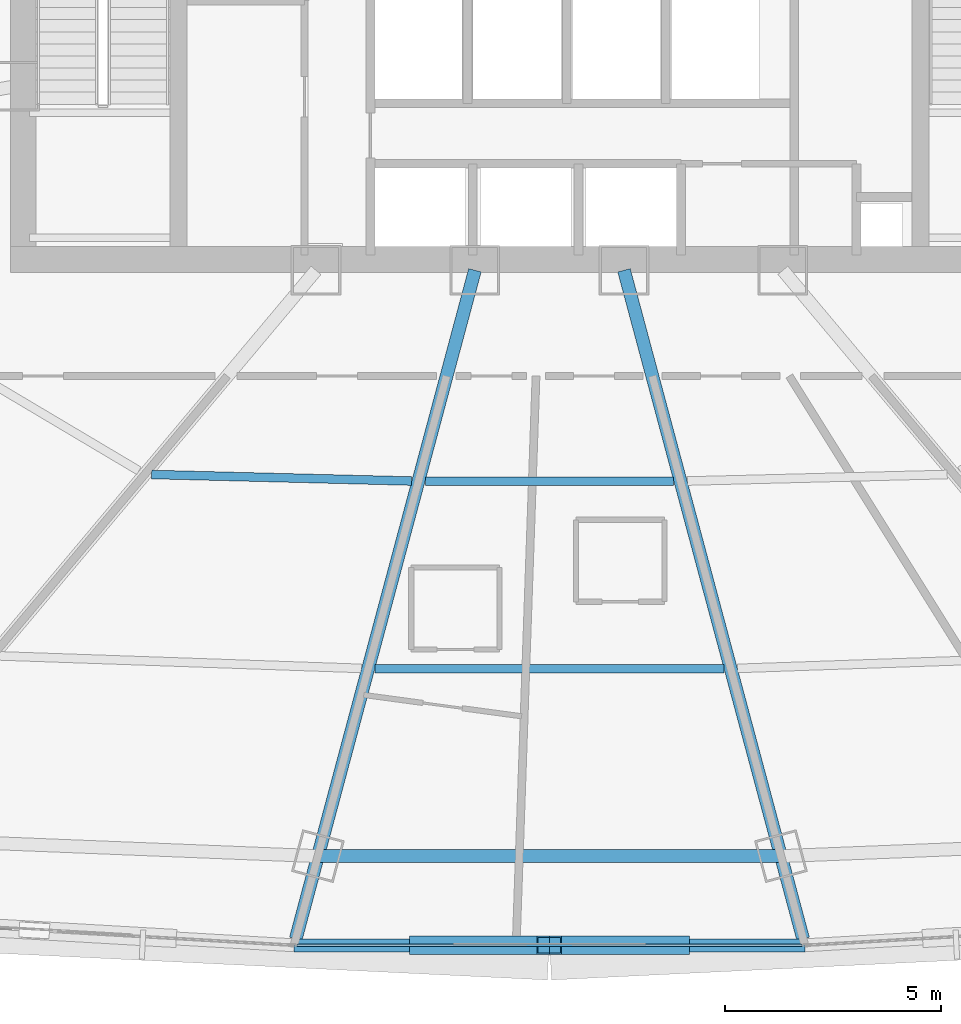
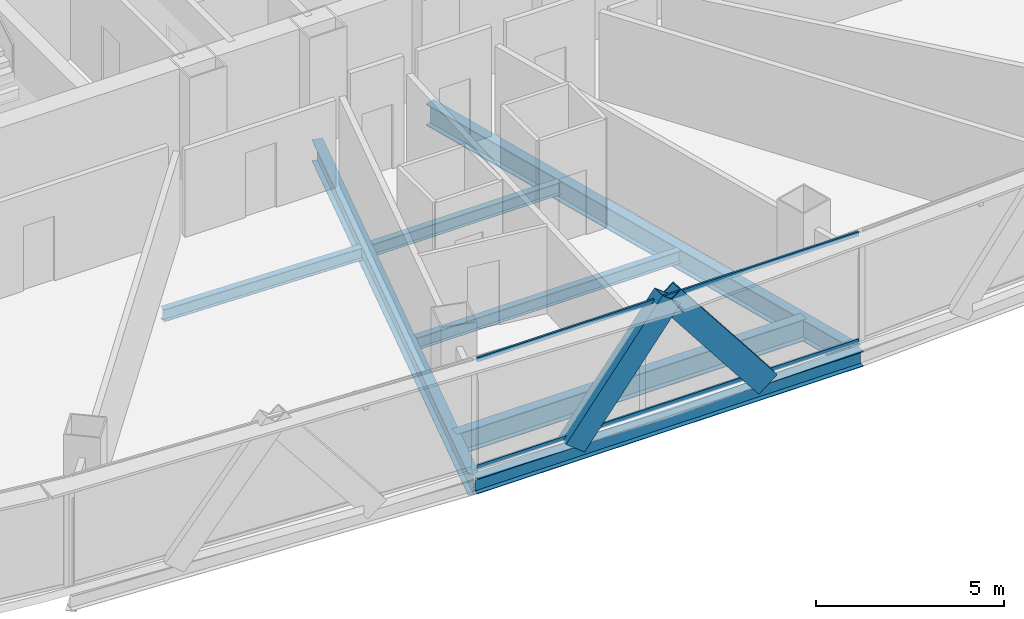
# One storey, part 9 of 37: 7 beams, 4 members, 1 element without a shape of its own.
"""IFC4 building model written with IfcOpenShell, lengths in metres."""

from ifc_helpers import new_model, si_unit, direction, frame, origin, origin_2d, place, context, subcontext, project, spatial, hollow_rectangle, i_section, extrude, source, transform, mapped, material, layer, layer_set, material_profile, profile_set, type_object, element, aggregate, save


model = new_model("IFC4")

# Units and contexts
model_context = context("Model", 3, precision=1e-05, world=origin(), true_north=direction((0.0, 1.0)))
body_context = subcontext(model_context, "Body", "Model", "MODEL_VIEW")
ifc_project = project(units=[si_unit("LENGTHUNIT", "METRE"), si_unit("AREAUNIT", "SQUARE_METRE"), si_unit("VOLUMEUNIT", "CUBIC_METRE"), si_unit("PLANEANGLEUNIT", "RADIAN"), si_unit("MASSUNIT", "GRAM", prefix="KILO"), si_unit("THERMODYNAMICTEMPERATUREUNIT", "KELVIN"), si_unit("POWERUNIT", "WATT")], contexts=[model_context])

# Site, building, storey
site_placement = place(None, origin())
site = spatial("IfcSite", under=ifc_project, at=site_placement, CompositionType="ELEMENT")
building_placement = place(site_placement, origin())
building = spatial("IfcBuilding", under=site, at=building_placement, Name="Yunzhuo Pagoda Commons", CompositionType="ELEMENT")
storey_placement = place(building_placement, frame((0.0, 0.0, 84.97998046875)))
storey = spatial("IfcBuildingStorey", under=building, at=storey_placement, Name="L21", CompositionType="ELEMENT", Elevation=84.97998046875)

# Beams
ifc_material_1 = material(Name="Structural steel Q355B", Category="steel")
ifc_material_profile_1 = material_profile(ifc_material_1, i_section(OverallWidth=0.300048828125, OverallDepth=0.488037109375, WebThickness=0.010986328125, FlangeThickness=0.01806640625, at=origin_2d()), Name="Structural steel Q355B")
ifc_profile_set_1 = profile_set([ifc_material_profile_1], Name="Structural steel Q355B")
beam_type_1 = type_object("IfcBeamType", Name="B-SP1 Beam HM 488x300x11x18", PredefinedType="BEAM", material=ifc_profile_set_1)
shared_shape_1 = source(origin(), body_context, "Body", "SweptSolid", [
    extrude(i_section(OverallWidth=0.300048828125, OverallDepth=0.488037109375, WebThickness=0.010986328125, FlangeThickness=0.01806640625, at=origin_2d()), origin(), (0.0, 0.0, 1.0), 11.8427734375),
])
beam_1_placement = place(storey_placement, frame((42.07861328125, 11.60107421875, -0.50390625), z_axis=(1.0, 0.0, 0.0), x_axis=(0.0, 1.0, 0.0)))
element("IfcBeam", 1, at=beam_1_placement, inside=storey, type_object=beam_type_1, Name="L21 facade edge spandrel beam F1.2", PredefinedType="BEAM", context=body_context, shape_type="MappedRepresentation", body=[
    mapped(shared_shape_1, transform((0.0, 0.0, 0.0), scale=1.0)),
])
ifc_material_profile_2 = material_profile(ifc_material_1, i_section(OverallWidth=0.300048828125, OverallDepth=0.699951171875, WebThickness=0.012939453125, FlangeThickness=0.02392578125, at=origin_2d()), Name="Structural steel Q355B")
ifc_profile_set_2 = profile_set([ifc_material_profile_2], Name="Structural steel Q355B")
beam_type_2 = type_object("IfcBeamType", Name="B-RG1 Beam HN 700x300x13x24", PredefinedType="BEAM", material=ifc_profile_set_2)
shared_shape_2 = source(origin(), body_context, "Body", "SweptSolid", [
    extrude(i_section(OverallWidth=0.300048828125, OverallDepth=0.699951171875, WebThickness=0.012939453125, FlangeThickness=0.02392578125, at=origin_2d()), origin(), (0.0, 0.0, 1.0), 10.73486328125),
])
beam_2_placement = place(storey_placement, frame((42.632568359375, 13.66845703125, -0.60986328125), z_axis=(1.0, 0.0, 0.0), x_axis=(0.0, 1.0, 0.0)))
element("IfcBeam", 2, at=beam_2_placement, inside=storey, type_object=beam_type_2, Name="L21 column-ring beam 2", PredefinedType="BEAM", context=body_context, shape_type="MappedRepresentation", body=[
    mapped(shared_shape_2, transform((0.0, 0.0, 0.0), scale=1.0)),
])
shared_shape_3 = source(origin(), body_context, "Body", "SweptSolid", [
    extrude(i_section(OverallWidth=0.300048828125, OverallDepth=0.699951171875, WebThickness=0.012939453125, FlangeThickness=0.02392578125, at=origin_2d()), origin(), (0.0, 0.0, 1.0), 16.046142578125),
])
beam_3_placement = place(storey_placement, frame((42.11865234375, 11.750732421875, -0.60986328125), z_axis=(0.258836726118, 0.965921088502, 0.0), x_axis=(-0.965921088502, 0.258836726118, 0.0)))
element("IfcBeam", 3, at=beam_3_placement, inside=storey, type_object=beam_type_2, Name="L21 radial floor girder F1C2", PredefinedType="BEAM", context=body_context, shape_type="MappedRepresentation", body=[
    mapped(shared_shape_3, transform((0.0, 0.0, 0.0), scale=1.0)),
])
shared_shape_4 = source(origin(), body_context, "Body", "SweptSolid", [
    extrude(i_section(OverallWidth=0.300048828125, OverallDepth=0.699951171875, WebThickness=0.012939453125, FlangeThickness=0.02392578125, at=origin_2d()), origin(), (0.0, 0.0, 1.0), 16.0458984375),
])
beam_4_placement = place(storey_placement, frame((53.88134765625, 11.750732421875, -0.60986328125), z_axis=(-0.258808334578, 0.965928696102, 0.0), x_axis=(-0.965928696102, -0.258808334578, 0.0)))
element("IfcBeam", 4, at=beam_4_placement, inside=storey, type_object=beam_type_2, Name="L21 radial floor girder F1C3", PredefinedType="BEAM", context=body_context, shape_type="MappedRepresentation", body=[
    mapped(shared_shape_4, transform((0.0, 0.0, 0.0), scale=1.0)),
])
ifc_material_profile_3 = material_profile(ifc_material_1, i_section(OverallWidth=0.199951171875, OverallDepth=0.39990234375, WebThickness=0.008056640625, FlangeThickness=0.012939453125, at=origin_2d()), Name="Structural steel Q355B")
ifc_profile_set_3 = profile_set([ifc_material_profile_3], Name="Structural steel Q355B")
beam_type_3 = type_object("IfcBeamType", Name="B-JS1 Joist HN 400x200x8x13", PredefinedType="JOIST", material=ifc_profile_set_3)
shared_shape_5 = source(origin(), body_context, "Body", "SweptSolid", [
    extrude(i_section(OverallWidth=0.199951171875, OverallDepth=0.39990234375, WebThickness=0.008056640625, FlangeThickness=0.012939453125, at=origin_2d()), origin(), (0.0, 0.0, 1.0), 6.026611328125),
])
beam_5_placement = place(storey_placement, frame((38.778076171875, 22.516357421875, -0.459716796875), z_axis=(0.99968248871, -0.025197654009, 0.0), x_axis=(0.025197654009, 0.99968248871, 0.0)))
element("IfcBeam", 5, at=beam_5_placement, inside=storey, type_object=beam_type_3, Name="L21 composite ring joist 1.1", PredefinedType="JOIST", context=body_context, shape_type="MappedRepresentation", body=[
    mapped(shared_shape_5, transform((0.0, 0.0, 0.0), scale=1.0)),
])
shared_shape_6 = source(origin(), body_context, "Body", "SweptSolid", [
    extrude(i_section(OverallWidth=0.199951171875, OverallDepth=0.39990234375, WebThickness=0.008056640625, FlangeThickness=0.012939453125, at=origin_2d()), origin(), (0.0, 0.0, 1.0), 5.7587890625),
])
beam_6_placement = place(storey_placement, frame((45.120849609375, 22.360595703125, -0.459716796875), z_axis=(1.0, 0.0, 0.0), x_axis=(0.0, 1.0, 0.0)))
element("IfcBeam", 6, at=beam_6_placement, inside=storey, type_object=beam_type_3, Name="L21 composite ring joist 1.2", PredefinedType="JOIST", context=body_context, shape_type="MappedRepresentation", body=[
    mapped(shared_shape_6, transform((0.0, 0.0, 0.0), scale=1.0)),
])
shared_shape_7 = source(origin(), body_context, "Body", "SweptSolid", [
    extrude(i_section(OverallWidth=0.199951171875, OverallDepth=0.39990234375, WebThickness=0.008056640625, FlangeThickness=0.012939453125, at=origin_2d()), origin(), (0.0, 0.0, 1.0), 8.087890625),
])
beam_7_placement = place(storey_placement, frame((43.9560546875, 18.014404296875, -0.459716796875), z_axis=(1.0, 0.0, 0.0), x_axis=(0.0, 1.0, 0.0)))
element("IfcBeam", 7, at=beam_7_placement, inside=storey, type_object=beam_type_3, Name="L21 composite ring joist 2.2", PredefinedType="JOIST", context=body_context, shape_type="MappedRepresentation", body=[
    mapped(shared_shape_7, transform((0.0, 0.0, 0.0), scale=1.0)),
])

# Members
ifc_material_2 = material(Name="Structural steel Q420B", Category="steel")
ifc_material_profile_4 = material_profile(ifc_material_2, hollow_rectangle(XDim=0.419921875, YDim=0.719970703125, WallThickness=0.028076171875, at=origin_2d()), Name="Structural steel Q420B")
ifc_profile_set_4 = profile_set([ifc_material_profile_4], Name="Structural steel Q420B")
member_type_1 = type_object("IfcMemberType", Name="M-DL1 Brace BOX 720x420x28", PredefinedType="BRACE", material=ifc_profile_set_4)
shared_shape_8 = source(origin(), body_context, "Body", "SweptSolid", [
    extrude(hollow_rectangle(XDim=0.419921875, YDim=0.719970703125, WallThickness=0.028076171875, at=origin_2d()), origin(), (0.0, 0.0, 1.0), 4.8173828125),
])
for number, where, z_axis, x_axis, name in (
    (8, (45.039306640625, 11.60107421875, -0.260009765625), (0.614575452616, 0.0, 0.788858043657), (0.0, 1.0, 0.0), "L21 facade diamond brace F1.2L"),
    (9, (50.960693359375, 11.60107421875, -0.260009765625), (-0.614575452616, 0.0, 0.788858043657), (0.0, -1.0, 0.0), "L21 facade diamond brace F1.2R"),
):
    element("IfcMember", number, at=place(storey_placement, frame(where, z_axis=z_axis, x_axis=x_axis)), inside=storey, type_object=member_type_1, Name=name, PredefinedType="BRACE", context=body_context, shape_type="MappedRepresentation", body=[
        mapped(shared_shape_8, transform((0.0, 0.0, 0.0), scale=1.0)),
    ])

# Curtain wall, members
ifc_material_3 = material(Name="Anodized aluminium 6063-T6", Category="aluminium")
ifc_layer = layer(ifc_material_3, 0.1650390625)
ifc_layer_set = layer_set([ifc_layer], Name="Anodized aluminium 6063-T6")
curtain_wall_type = type_object("IfcCurtainWallType", Name="CW-LOW Low-Zone Ribbon Curtain Wall", PredefinedType="NOTDEFINED", material=ifc_layer_set)
curtain_wall_placement = place(storey_placement, origin())
curtain_wall = element("IfcCurtainWall", 10, at=curtain_wall_placement, inside=storey, type_object=curtain_wall_type, Name="L21 curtain wall CW-L21-F1B3", PredefinedType="NOTDEFINED")
ifc_material_profile_5 = material_profile(ifc_material_3, hollow_rectangle(XDim=0.06005859375, YDim=0.139892578125, WallThickness=0.00341796875, at=origin_2d()), Name="Anodized aluminium 6063-T6")
ifc_profile_set_5 = profile_set([ifc_material_profile_5], Name="Anodized aluminium 6063-T6")
member_type_2 = type_object("IfcMemberType", Name="CW-LOW-T Transom RHS 140x60x3.5", PredefinedType="USERDEFINED", material=ifc_profile_set_5)
shared_shape_9 = source(origin(), body_context, "Body", "SweptSolid", [
    extrude(hollow_rectangle(XDim=0.06005859375, YDim=0.139892578125, WallThickness=0.00341796875, at=origin_2d()), origin(), (0.0, 0.0, 1.0), 11.712890625),
])
member_1_placement = place(storey_placement, frame((42.1435546875, 11.60107421875, 0.030029296875), z_axis=(1.0, 0.0, 0.0), x_axis=(0.0, 1.0, 0.0)))
member_1 = element("IfcMember", 11, at=member_1_placement, type_object=member_type_2, Name="CW transom 1.1", ObjectType="TRANSOM", PredefinedType="USERDEFINED", context=body_context, shape_type="MappedRepresentation", body=[
    mapped(shared_shape_9, transform((0.0, 0.0, 0.0), scale=1.0)),
])
member_2_placement = place(storey_placement, frame((42.1435546875, 11.60107421875, 3.510009765625), z_axis=(1.0, 0.0, 0.0), x_axis=(0.0, 1.0, 0.0)))
member_2 = element("IfcMember", 12, at=member_2_placement, type_object=member_type_2, Name="CW transom 1.2", ObjectType="TRANSOM", PredefinedType="USERDEFINED", context=body_context, shape_type="MappedRepresentation", body=[
    mapped(shared_shape_9, transform((0.0, 0.0, 0.0), scale=1.0)),
])
aggregate(curtain_wall, [member_1, member_2])

save(model, "model.ifc")
